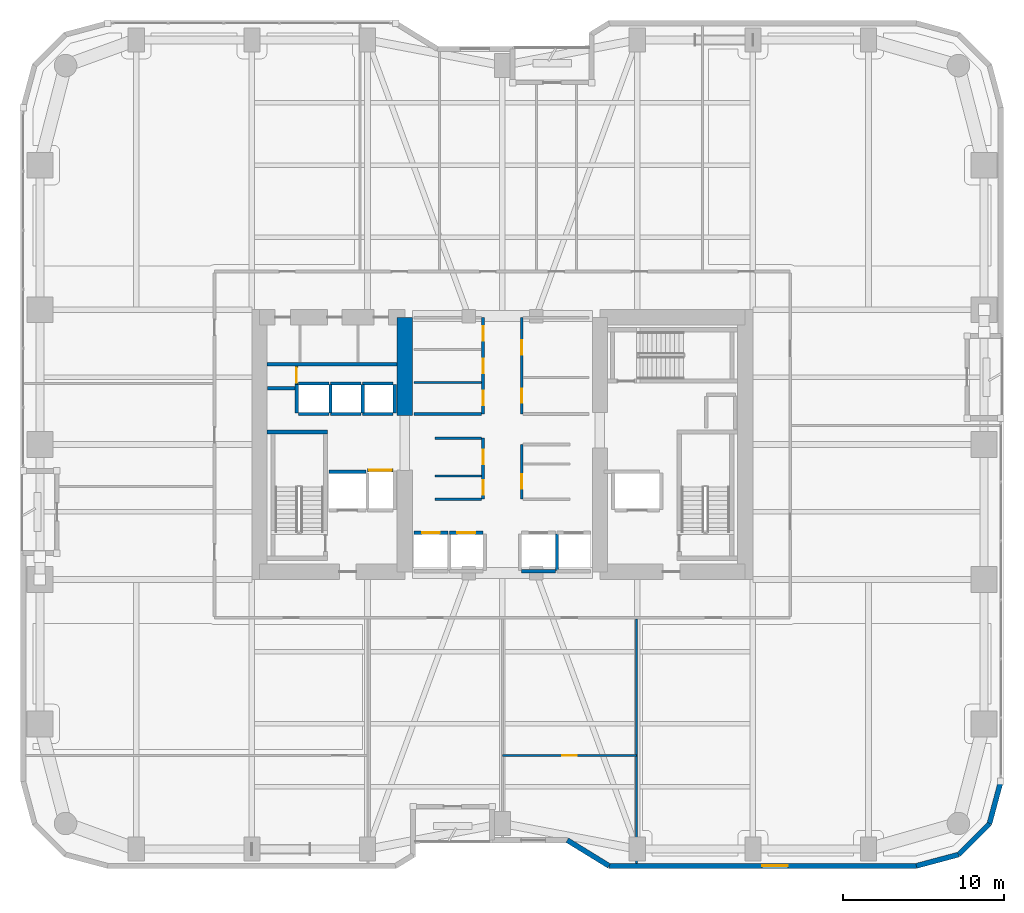
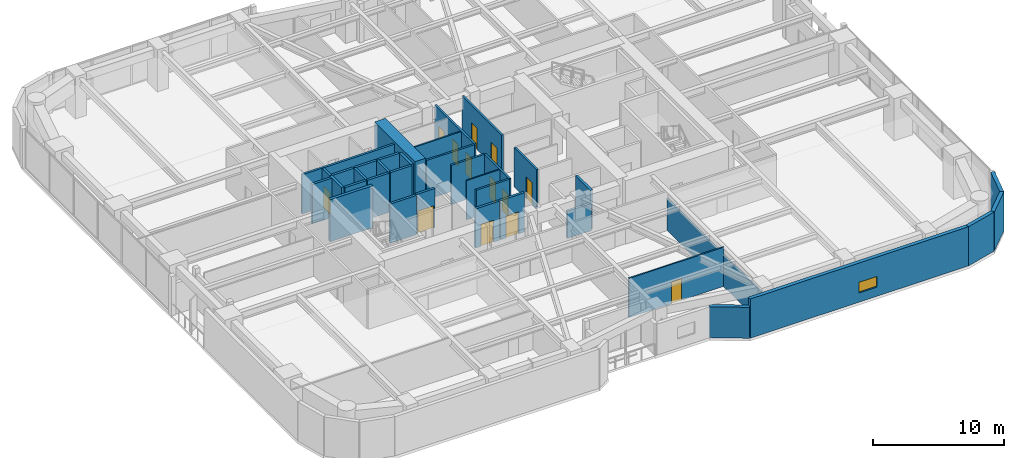
# One storey, part 23 of 28: 37 walls, 13 doors, 1 window, 14 openings.
"""IFC4 building model written with IfcOpenShell, lengths in metres."""

from ifc_helpers import new_model, si_unit, direction, frame, frame_2d, origin, place, context, subcontext, project, spatial, rectangle, extrude, material, layer, layer_set, type_object, element, fill, save


model = new_model("IFC4")

# Units and contexts
model_context = context("Model", 3, precision=1e-05, world=origin(), true_north=direction((0.0, 1.0)))
body_context = subcontext(model_context, "Body", "Model", "MODEL_VIEW")
ifc_project = project(units=[si_unit("LENGTHUNIT", "METRE"), si_unit("AREAUNIT", "SQUARE_METRE"), si_unit("VOLUMEUNIT", "CUBIC_METRE"), si_unit("PLANEANGLEUNIT", "RADIAN"), si_unit("MASSUNIT", "GRAM", prefix="KILO")], contexts=[model_context])

# Site, building, storey
site_placement = place(None, origin())
site = spatial("IfcSite", under=ifc_project, at=site_placement, CompositionType="ELEMENT")
building_placement = place(site_placement, origin())
building = spatial("IfcBuilding", under=site, at=building_placement, Name="Kiyonajd Concourse Tower", CompositionType="ELEMENT")
storey_placement = place(building_placement, frame((0.0, 0.0, 33.300048828125)))
storey = spatial("IfcBuildingStorey", under=building, at=storey_placement, Name="L09", CompositionType="ELEMENT", Elevation=33.300048828125)

# Walls
ifc_material_1 = material(Name="Concrete C80/95", Category="concrete")
ifc_layer_1 = layer(ifc_material_1, 0.949951171875)
ifc_layer_set_1 = layer_set([ifc_layer_1], Name="Concrete C80/95")
wall_type_1 = type_object("IfcWallType", Name="WL-CORE-950", PredefinedType="SHEAR", material=ifc_layer_set_1)
wall_1_placement = place(storey_placement, frame((41.925048828125, 37.800048828125, 0.0), z_axis=(0.0, 0.0, 1.0), x_axis=(0.0, 1.0, 0.0)))
element("IfcWall", 1, at=wall_1_placement, inside=storey, type_object=wall_type_1, Name="L09 West Core Inner North Shear Wall", PredefinedType="SHEAR", context=body_context, shape_type="SweptSolid", body=[
    extrude(rectangle(XDim=6.125, YDim=0.949951171875, at=frame_2d((3.0625, 0.0))), origin(), (0.0, 0.0, 1.0), 3.89990234375),
])
ifc_material_2 = material(Name="Precast concrete C50/60", Category="concrete")
ifc_layer_2 = layer(ifc_material_2, 0.320068359375)
ifc_layer_set_2 = layer_set([ifc_layer_2], Name="Precast concrete C50/60")
wall_type_2 = type_object("IfcWallType", Name="WL-EXT-320", PredefinedType="SOLIDWALL", material=ifc_layer_set_2)
wall_2_placement = place(storey_placement, frame((79.0400390625, 15.02099609375, 0.0), z_axis=(0.0, 0.0, 1.0), x_axis=(-0.25869736047, -0.965958423373, 0.0)))
element("IfcWall", 2, at=wall_2_placement, inside=storey, type_object=wall_type_2, Name="L09 Exterior Concrete Frame Wall 25", PredefinedType="SOLIDWALL", context=body_context, shape_type="SweptSolid", body=[
    extrude(rectangle(XDim=2.731201171875, YDim=0.320068359375, at=frame_2d((1.36572265625, 0.0))), origin(), (0.0, 0.0, 1.0), 3.639892578125),
])
wall_3_placement = place(storey_placement, frame((78.33349609375, 12.3828125, 0.0), z_axis=(0.0, 0.0, 1.0), x_axis=(-0.707106781187, -0.707106781187, 0.0)))
element("IfcWall", 3, at=wall_3_placement, inside=storey, type_object=wall_type_2, Name="L09 Exterior Concrete Frame Wall 26", PredefinedType="SOLIDWALL", context=body_context, shape_type="SweptSolid", body=[
    extrude(rectangle(XDim=2.7099609375, YDim=0.320068359375, at=frame_2d((1.35498046875, 0.0))), origin(), (0.0, 0.0, 1.0), 3.639892578125),
])
wall_4_placement = place(storey_placement, frame((76.417236328125, 10.466552734375, 0.0), z_axis=(0.0, 0.0, 1.0), x_axis=(-0.965964405026, -0.25867502435, 0.0)))
element("IfcWall", 4, at=wall_4_placement, inside=storey, type_object=wall_type_2, Name="L09 Exterior Concrete Frame Wall 27", PredefinedType="SOLIDWALL", context=body_context, shape_type="SweptSolid", body=[
    extrude(rectangle(XDim=2.7314453125, YDim=0.320068359375, at=frame_2d((1.36572265625, 0.0))), origin(), (0.0, 0.0, 1.0), 3.639892578125),
])

# Wall, opening, window
wall_5_placement = place(storey_placement, frame((73.77880859375, 9.760009765625, 0.0), z_axis=(0.0, 0.0, 1.0), x_axis=(-1.0, 0.0, 0.0)))
wall_5 = element("IfcWall", 5, at=wall_5_placement, inside=storey, type_object=wall_type_2, Name="L09 Exterior Concrete Frame Wall 28", PredefinedType="SOLIDWALL", context=body_context, shape_type="SweptSolid", body=[
    extrude(rectangle(XDim=19.133544921875, YDim=0.320068359375, at=frame_2d((9.56689453125, 0.0))), origin(), (0.0, 0.0, 1.0), 3.639892578125),
])
opening_1_placement = place(wall_5_placement, frame((8.00390625, 0.0, 0.85009765625)))
opening_1 = element("IfcOpeningElement", 6, at=opening_1_placement, cuts=wall_5, Name="Opening WN6", PredefinedType="OPENING", context=body_context, shape_type="SweptSolid", body=[
    extrude(rectangle(XDim=1.60009765625, YDim=1.0, at=frame_2d((0.800048828125, 0.5))), frame((0.0, 0.169921875, 0.0), z_axis=(0.0, -1.0, 0.0), x_axis=(1.0, 0.0, 0.0)), (0.0, 0.0, 1.0), 0.340087890625),
])
ifc_material_3 = material(Name="Double Low-E Insulated Glass", Category="glass")
window_type = type_object("IfcWindowType", Name="WN-VIS-1600x1000", PartitioningType="SINGLE_PANEL", PredefinedType="WINDOW", material=ifc_material_3)
window_placement = place(opening_1_placement, origin())
window = element("IfcWindow", 7, at=window_placement, inside=storey, type_object=window_type, Name="L09 Modular Facade Vision Window 28", OverallHeight=1.0, OverallWidth=1.60009765625, PartitioningType="SINGLE_PANEL", PredefinedType="WINDOW", context=body_context, shape_type="SweptSolid", body=[
    extrude(rectangle(XDim=1.60009765625, YDim=1.0, at=frame_2d((0.800048828125, 0.5))), frame((0.0, 0.030029296875, 0.0), z_axis=(0.0, -1.0, 0.0), x_axis=(1.0, 0.0, 0.0)), (0.0, 0.0, 1.0), 0.06005859375),
])
fill(opening_1, window)

# Walls
wall_6_placement = place(storey_placement, frame((54.645263671875, 9.760009765625, 0.0), z_axis=(0.0, 0.0, 1.0), x_axis=(-0.851630857047, 0.524142044989, 0.0)))
element("IfcWall", 8, at=wall_6_placement, inside=storey, type_object=wall_type_2, Name="L09 Exterior Concrete Frame Wall 29", PredefinedType="SOLIDWALL", context=body_context, shape_type="SweptSolid", body=[
    extrude(rectangle(XDim=3.052734375, YDim=0.320068359375, at=frame_2d((1.5263671875, 0.0))), origin(), (0.0, 0.0, 1.0), 2.875),
])
ifc_material_4 = material(Name="Gypsum Board on Cold-Formed Steel Stud", Category="steel")
ifc_layer_3 = layer(ifc_material_4, 0.125)
ifc_layer_set_3 = layer_set([ifc_layer_3], Name="Gypsum Board on Cold-Formed Steel Stud")
wall_type_3 = type_object("IfcWallType", Name="WL-PART-125", PredefinedType="PARTITIONING", material=ifc_layer_set_3)
wall_7_placement = place(storey_placement, frame((43.800048828125, 34.0439453125, 0.0), z_axis=(0.0, 0.0, 1.0), x_axis=(1.0, 0.0, 0.0)))
element("IfcWall", 9, at=wall_7_placement, inside=storey, type_object=wall_type_3, Name="L09 Interior Partition Wall", PredefinedType="PARTITIONING", context=body_context, shape_type="SweptSolid", body=[
    extrude(rectangle(XDim=2.912841796875, YDim=0.125, at=frame_2d((1.45654296875, 0.0))), origin(), (0.0, 0.0, 1.0), 3.639892578125),
])
wall_8_placement = place(storey_placement, frame((42.5, 39.8798828125, 0.0), z_axis=(0.0, 0.0, 1.0), x_axis=(1.0, 0.0, 0.0)))
element("IfcWall", 10, at=wall_8_placement, inside=storey, type_object=wall_type_3, Name="L09 Interior Partition Wall", PredefinedType="PARTITIONING", context=body_context, shape_type="SweptSolid", body=[
    extrude(rectangle(XDim=4.212890625, YDim=0.125, at=frame_2d((2.1064453125, 0.0))), origin(), (0.0, 0.0, 1.0), 3.639892578125),
])

# Wall, opening, door
wall_9_placement = place(storey_placement, frame((48.0, 16.6298828125, 0.0), z_axis=(0.0, 0.0, 1.0), x_axis=(1.0, 0.0, 0.0)))
wall_9 = element("IfcWall", 11, at=wall_9_placement, inside=storey, type_object=wall_type_3, Name="L09 Interior Partition Wall", PredefinedType="PARTITIONING", context=body_context, shape_type="SweptSolid", body=[
    extrude(rectangle(XDim=8.360107421875, YDim=0.125, at=frame_2d((4.18017578125, 0.0))), origin(), (0.0, 0.0, 1.0), 3.639892578125),
])
opening_2_placement = place(wall_9_placement, frame((3.72998046875, 0.0, 0.0)))
opening_2 = element("IfcOpeningElement", 12, at=opening_2_placement, cuts=wall_9, Name="Opening DI2", PredefinedType="OPENING", context=body_context, shape_type="SweptSolid", body=[
    extrude(rectangle(XDim=0.89990234375, YDim=2.02001953125, at=frame_2d((0.449951171875, 1.010009765625))), frame((0.0, 0.072509765625, 0.0), z_axis=(0.0, -1.0, 0.0), x_axis=(1.0, 0.0, 0.0)), (0.0, 0.0, 1.0), 0.14501953125),
])
ifc_material_5 = material(Name="Natural Oak Acoustic Timber Veneer", Category="wood")
door_type_1 = type_object("IfcDoorType", Name="DR-INT-900", OperationType="NOTDEFINED", PredefinedType="DOOR", material=ifc_material_5)
door_1_placement = place(opening_2_placement, origin())
door_1 = element("IfcDoor", 13, at=door_1_placement, inside=storey, type_object=door_type_1, Name="L09 Interior Door", OperationType="SINGLE_SWING_RIGHT", OverallHeight=2.02001953125, OverallWidth=0.89990234375, PredefinedType="DOOR", context=body_context, shape_type="SweptSolid", body=[
    extrude(rectangle(XDim=0.89990234375, YDim=2.02001953125, at=frame_2d((0.449951171875, 1.010009765625))), frame((0.0, 0.02490234375, 0.0), z_axis=(0.0, -1.0, 0.0), x_axis=(1.0, 0.0, 0.0)), (0.0, 0.0, 1.0), 0.050048828125),
])
fill(opening_2, door_1)

# Walls
wall_10_placement = place(storey_placement, frame((56.360107421875, 9.9150390625, 0.0), z_axis=(0.0, 0.0, 1.0), x_axis=(0.0, 1.0, 0.0)))
element("IfcWall", 14, at=wall_10_placement, inside=storey, type_object=wall_type_3, Name="L09 Interior Partition Wall", PredefinedType="PARTITIONING", context=body_context, shape_type="SweptSolid", body=[
    extrude(rectangle(XDim=15.218017578125, YDim=0.125, at=frame_2d((7.60888671875, 0.0))), origin(), (0.0, 0.0, 1.0), 2.929931640625),
])
ifc_layer_4 = layer(ifc_material_4, 0.18994140625)
ifc_layer_set_4 = layer_set([ifc_layer_4], Name="Gypsum Board on Cold-Formed Steel Stud")
wall_type_4 = type_object("IfcWallType", Name="WL-PLMB-190", PredefinedType="PLUMBINGWALL", material=ifc_layer_set_4)
wall_11_placement = place(storey_placement, frame((33.35009765625, 41.0, 0.0), z_axis=(0.0, 0.0, 1.0), x_axis=(1.0, 0.0, 0.0)))
element("IfcWall", 15, at=wall_11_placement, inside=storey, type_object=wall_type_4, Name="L09 Interior Partition Wall", PredefinedType="PLUMBINGWALL", context=body_context, shape_type="SweptSolid", body=[
    extrude(rectangle(XDim=8.099853515625, YDim=0.18994140625, at=frame_2d((4.0498046875, 0.0))), origin(), (0.0, 0.0, 1.0), 3.639892578125),
])
ifc_layer_5 = layer(ifc_material_4, 0.2099609375)
ifc_layer_set_5 = layer_set([ifc_layer_5], Name="Gypsum Board on Cold-Formed Steel Stud")
wall_type_5 = type_object("IfcWallType", Name="WL-SHAFT-210", PredefinedType="PARTITIONING", material=ifc_layer_set_5)
wall_12_placement = place(storey_placement, frame((33.360107421875, 39.5, 0.0), z_axis=(0.0, 0.0, 1.0), x_axis=(1.0, 0.0, 0.0)))
element("IfcWall", 16, at=wall_12_placement, inside=storey, type_object=wall_type_5, Name="L09 Shaft Enclosure Wall", PredefinedType="PARTITIONING", context=body_context, shape_type="SweptSolid", body=[
    extrude(rectangle(XDim=1.85986328125, YDim=0.2099609375, at=frame_2d((0.929931640625, 0.0))), origin(), (0.0, 0.0, 1.0), 3.639892578125),
])
wall_13_placement = place(storey_placement, frame((37.199951171875, 34.300048828125, 0.0), z_axis=(0.0, 0.0, 1.0), x_axis=(1.0, 0.0, 0.0)))
element("IfcWall", 17, at=wall_13_placement, inside=storey, type_object=wall_type_5, Name="L09 Shaft Enclosure Wall", PredefinedType="PARTITIONING", context=body_context, shape_type="SweptSolid", body=[
    extrude(rectangle(XDim=2.300048828125, YDim=0.2099609375, at=frame_2d((1.14990234375, 0.0))), origin(), (0.0, 0.0, 1.0), 3.639892578125),
])

# Wall, opening, door
wall_14_placement = place(storey_placement, frame((39.60009765625, 34.39990234375, 0.0), z_axis=(0.0, 0.0, 1.0), x_axis=(1.0, 0.0, 0.0)))
wall_14 = element("IfcWall", 18, at=wall_14_placement, inside=storey, type_object=wall_type_5, Name="L09 Shaft Enclosure Wall", PredefinedType="PARTITIONING", context=body_context, shape_type="SweptSolid", body=[
    extrude(rectangle(XDim=1.599853515625, YDim=0.2099609375, at=frame_2d((0.7998046875, 0.0))), origin(), (0.0, 0.0, 1.0), 3.639892578125),
])
opening_3_placement = place(wall_14_placement, frame((0.10009765625, 0.0, 0.0)))
opening_3 = element("IfcOpeningElement", 19, at=opening_3_placement, cuts=wall_14, Name="Opening LD3", PredefinedType="OPENING", context=body_context, shape_type="SweptSolid", body=[
    extrude(rectangle(XDim=1.39990234375, YDim=2.06005859375, at=frame_2d((0.699951171875, 1.030029296875))), frame((0.0, 0.114990234375, 0.0), z_axis=(0.0, -1.0, 0.0), x_axis=(1.0, 0.0, 0.0)), (0.0, 0.0, 1.0), 0.22998046875),
])
ifc_material_6 = material(Name="Brushed Stainless Steel Cab Assembly", Category="steel")
door_type_2 = type_object("IfcDoorType", Name="DR-LD-1400", OperationType="DOUBLE_DOOR_SLIDING", PredefinedType="DOOR", material=ifc_material_6)
door_2_placement = place(opening_3_placement, origin())
door_2 = element("IfcDoor", 20, at=door_2_placement, inside=storey, type_object=door_type_2, Name="L09 Lift SVL1 Sliding Landing Door", OperationType="DOUBLE_DOOR_SLIDING", OverallHeight=2.06005859375, OverallWidth=1.39990234375, PredefinedType="DOOR", context=body_context, shape_type="SweptSolid", body=[
    extrude(rectangle(XDim=1.39990234375, YDim=2.06005859375, at=frame_2d((0.699951171875, 1.030029296875))), frame((0.0, 0.02490234375, 0.0), z_axis=(0.0, -1.0, 0.0), x_axis=(1.0, 0.0, 0.0)), (0.0, 0.0, 1.0), 0.050048828125),
])
fill(opening_3, door_2)

wall_15_placement = place(storey_placement, frame((42.5, 30.5, 0.0), z_axis=(0.0, 0.0, 1.0), x_axis=(1.0, 0.0, 0.0)))
wall_15 = element("IfcWall", 21, at=wall_15_placement, inside=storey, type_object=wall_type_5, Name="L09 Shaft Enclosure Wall", PredefinedType="PARTITIONING", context=body_context, shape_type="SweptSolid", body=[
    extrude(rectangle(XDim=2.10009765625, YDim=0.2099609375, at=frame_2d((1.050048828125, 0.0))), origin(), (0.0, 0.0, 1.0), 3.639892578125),
])
opening_4_placement = place(wall_15_placement, frame((0.5, 0.0, 0.0)))
opening_4 = element("IfcOpeningElement", 22, at=opening_4_placement, cuts=wall_15, Name="Opening LD1", PredefinedType="OPENING", context=body_context, shape_type="SweptSolid", body=[
    extrude(rectangle(XDim=1.10009765625, YDim=2.0400390625, at=frame_2d((0.550048828125, 1.02001953125))), frame((0.0, 0.114990234375, 0.0), z_axis=(0.0, -1.0, 0.0), x_axis=(1.0, 0.0, 0.0)), (0.0, 0.0, 1.0), 0.22998046875),
])
door_type_3 = type_object("IfcDoorType", Name="DR-LD-1100", OperationType="DOUBLE_DOOR_SLIDING", PredefinedType="DOOR", material=ifc_material_6)
door_3_placement = place(opening_4_placement, origin())
door_3 = element("IfcDoor", 23, at=door_3_placement, inside=storey, type_object=door_type_3, Name="L09 Lift PL-L1 Sliding Landing Door", OperationType="DOUBLE_DOOR_SLIDING", OverallHeight=2.0400390625, OverallWidth=1.10009765625, PredefinedType="DOOR", context=body_context, shape_type="SweptSolid", body=[
    extrude(rectangle(XDim=1.10009765625, YDim=2.0400390625, at=frame_2d((0.550048828125, 1.02001953125))), frame((0.0, 0.02490234375, 0.0), z_axis=(0.0, -1.0, 0.0), x_axis=(1.0, 0.0, 0.0)), (0.0, 0.0, 1.0), 0.050048828125),
])
fill(opening_4, door_3)

wall_16_placement = place(storey_placement, frame((44.699951171875, 30.5, 0.0), z_axis=(0.0, 0.0, 1.0), x_axis=(1.0, 0.0, 0.0)))
wall_16 = element("IfcWall", 24, at=wall_16_placement, inside=storey, type_object=wall_type_5, Name="L09 Shaft Enclosure Wall", PredefinedType="PARTITIONING", context=body_context, shape_type="SweptSolid", body=[
    extrude(rectangle(XDim=2.10009765625, YDim=0.2099609375, at=frame_2d((1.050048828125, 0.0))), origin(), (0.0, 0.0, 1.0), 3.639892578125),
])
opening_5_placement = place(wall_16_placement, frame((0.5, 0.0, 0.0)))
opening_5 = element("IfcOpeningElement", 25, at=opening_5_placement, cuts=wall_16, Name="Opening LD1", PredefinedType="OPENING", context=body_context, shape_type="SweptSolid", body=[
    extrude(rectangle(XDim=1.10009765625, YDim=2.0400390625, at=frame_2d((0.550048828125, 1.02001953125))), frame((0.0, 0.114990234375, 0.0), z_axis=(0.0, -1.0, 0.0), x_axis=(1.0, 0.0, 0.0)), (0.0, 0.0, 1.0), 0.22998046875),
])
door_4_placement = place(opening_5_placement, origin())
door_4 = element("IfcDoor", 26, at=door_4_placement, inside=storey, type_object=door_type_3, Name="L09 Lift PL-L2 Sliding Landing Door", OperationType="DOUBLE_DOOR_SLIDING", OverallHeight=2.0400390625, OverallWidth=1.10009765625, PredefinedType="DOOR", context=body_context, shape_type="SweptSolid", body=[
    extrude(rectangle(XDim=1.10009765625, YDim=2.0400390625, at=frame_2d((0.550048828125, 1.02001953125))), frame((0.0, 0.02490234375, 0.0), z_axis=(0.0, -1.0, 0.0), x_axis=(1.0, 0.0, 0.0)), (0.0, 0.0, 1.0), 0.050048828125),
])
fill(opening_5, door_4)

# Walls
wall_17_placement = place(storey_placement, frame((49.199951171875, 28.10009765625, 0.0), z_axis=(0.0, 0.0, 1.0), x_axis=(1.0, 0.0, 0.0)))
element("IfcWall", 27, at=wall_17_placement, inside=storey, type_object=wall_type_5, Name="L09 Shaft Enclosure Wall", PredefinedType="PARTITIONING", context=body_context, shape_type="SweptSolid", body=[
    extrude(rectangle(XDim=2.10009765625, YDim=0.2099609375, at=frame_2d((1.050048828125, 0.0))), origin(), (0.0, 0.0, 1.0), 2.52490234375),
])
wall_18_placement = place(storey_placement, frame((51.39990234375, 28.159912109375, 0.0), z_axis=(0.0, 0.0, 1.0), x_axis=(0.0, 1.0, 0.0)))
element("IfcWall", 28, at=wall_18_placement, inside=storey, type_object=wall_type_5, Name="L09 Shaft Enclosure Wall", PredefinedType="PARTITIONING", context=body_context, shape_type="SweptSolid", body=[
    extrude(rectangle(XDim=2.280029296875, YDim=0.2099609375, at=frame_2d((1.14013671875, 0.0))), origin(), (0.0, 0.0, 1.0), 3.639892578125),
])
for number, where, z_axis, x_axis, name in (
    (29, (35.300048828125, 37.89990234375, 0.0), (0.0, 0.0, 1.0), (1.0, 0.0, 0.0), "L09 Shaft Enclosure Wall"),
    (30, (35.300048828125, 39.800048828125, 0.0), (0.0, 0.0, 1.0), (1.0, 0.0, 0.0), "L09 Shaft Enclosure Wall"),
):
    element("IfcWall", number, at=place(storey_placement, frame(where, z_axis=z_axis, x_axis=x_axis)), inside=storey, type_object=wall_type_5, Name=name, PredefinedType="PARTITIONING", context=body_context, shape_type="SweptSolid", body=[
        extrude(rectangle(XDim=1.89990234375, YDim=0.2099609375, at=frame_2d((0.949951171875, 0.0))), origin(), (0.0, 0.0, 1.0), 3.639892578125),
    ])
for number, where, z_axis, x_axis, name in (
    (31, (35.199951171875, 37.9599609375, 0.0), (0.0, 0.0, 1.0), (0.0, 1.0, 0.0), "L09 Shaft Enclosure Wall"),
    (32, (37.300048828125, 37.9599609375, 0.0), (0.0, 0.0, 1.0), (0.0, 1.0, 0.0), "L09 Shaft Enclosure Wall"),
):
    element("IfcWall", number, at=place(storey_placement, frame(where, z_axis=z_axis, x_axis=x_axis)), inside=storey, type_object=wall_type_5, Name=name, PredefinedType="PARTITIONING", context=body_context, shape_type="SweptSolid", body=[
        extrude(rectangle(XDim=1.780029296875, YDim=0.2099609375, at=frame_2d((0.89013671875, 0.0))), origin(), (0.0, 0.0, 1.0), 3.639892578125),
    ])
for number, where, z_axis, x_axis, name in (
    (33, (37.300048828125, 37.89990234375, 0.0), (0.0, 0.0, 1.0), (1.0, 0.0, 0.0), "L09 Shaft Enclosure Wall"),
    (34, (37.300048828125, 39.800048828125, 0.0), (0.0, 0.0, 1.0), (1.0, 0.0, 0.0), "L09 Shaft Enclosure Wall"),
):
    element("IfcWall", number, at=place(storey_placement, frame(where, z_axis=z_axis, x_axis=x_axis)), inside=storey, type_object=wall_type_5, Name=name, PredefinedType="PARTITIONING", context=body_context, shape_type="SweptSolid", body=[
        extrude(rectangle(XDim=1.89990234375, YDim=0.2099609375, at=frame_2d((0.949951171875, 0.0))), origin(), (0.0, 0.0, 1.0), 3.639892578125),
    ])
wall_19_placement = place(storey_placement, frame((39.300048828125, 37.9599609375, 0.0), z_axis=(0.0, 0.0, 1.0), x_axis=(0.0, 1.0, 0.0)))
element("IfcWall", 35, at=wall_19_placement, inside=storey, type_object=wall_type_5, Name="L09 Shaft Enclosure Wall", PredefinedType="PARTITIONING", context=body_context, shape_type="SweptSolid", body=[
    extrude(rectangle(XDim=1.780029296875, YDim=0.2099609375, at=frame_2d((0.89013671875, 0.0))), origin(), (0.0, 0.0, 1.0), 3.639892578125),
])
for number, where, z_axis, x_axis, name in (
    (36, (39.300048828125, 37.89990234375, 0.0), (0.0, 0.0, 1.0), (1.0, 0.0, 0.0), "L09 Shaft Enclosure Wall"),
    (37, (39.300048828125, 39.800048828125, 0.0), (0.0, 0.0, 1.0), (1.0, 0.0, 0.0), "L09 Shaft Enclosure Wall"),
):
    element("IfcWall", number, at=place(storey_placement, frame(where, z_axis=z_axis, x_axis=x_axis)), inside=storey, type_object=wall_type_5, Name=name, PredefinedType="PARTITIONING", context=body_context, shape_type="SweptSolid", body=[
        extrude(rectangle(XDim=1.89990234375, YDim=0.2099609375, at=frame_2d((0.949951171875, 0.0))), origin(), (0.0, 0.0, 1.0), 3.639892578125),
    ])
wall_20_placement = place(storey_placement, frame((41.300048828125, 37.9599609375, 0.0), z_axis=(0.0, 0.0, 1.0), x_axis=(0.0, 1.0, 0.0)))
element("IfcWall", 38, at=wall_20_placement, inside=storey, type_object=wall_type_5, Name="L09 Shaft Enclosure Wall", PredefinedType="PARTITIONING", context=body_context, shape_type="SweptSolid", body=[
    extrude(rectangle(XDim=1.780029296875, YDim=0.2099609375, at=frame_2d((0.89013671875, 0.0))), origin(), (0.0, 0.0, 1.0), 3.639892578125),
])

# Wall, opening, door
wall_21_placement = place(storey_placement, frame((35.179931640625, 39.739990234375, 0.0), z_axis=(0.0, 0.0, 1.0), x_axis=(0.0, 1.0, 0.0)))
wall_21 = element("IfcWall", 39, at=wall_21_placement, inside=storey, type_object=wall_type_5, Name="L09 Interior Partition Wall", PredefinedType="PARTITIONING", context=body_context, shape_type="SweptSolid", body=[
    extrude(rectangle(XDim=1.159912109375, YDim=0.2099609375, at=frame_2d((0.580078125, 0.0))), origin(), (0.0, 0.0, 1.0), 3.639892578125),
])
opening_6_placement = place(wall_21_placement, frame((0.10498046875, 0.0, 0.0)))
opening_6 = element("IfcOpeningElement", 40, at=opening_6_placement, cuts=wall_21, Name="Opening DF3", PredefinedType="OPENING", context=body_context, shape_type="SweptSolid", body=[
    extrude(rectangle(XDim=0.949951171875, YDim=2.0400390625, at=frame_2d((0.47509765625, 1.02001953125))), frame((0.0, 0.114990234375, 0.0), z_axis=(0.0, -1.0, 0.0), x_axis=(1.0, 0.0, 0.0)), (0.0, 0.0, 1.0), 0.22998046875),
])
door_type_4 = type_object("IfcDoorType", Name="DR-FD60-950", OperationType="NOTDEFINED", PredefinedType="DOOR", material=ifc_material_6)
door_5_placement = place(opening_6_placement, origin())
door_5 = element("IfcDoor", 41, at=door_5_placement, inside=storey, type_object=door_type_4, Name="L09 Electrical Riser Access Door", OperationType="SINGLE_SWING_LEFT", OverallHeight=2.0400390625, OverallWidth=0.949951171875, PredefinedType="DOOR", context=body_context, shape_type="SweptSolid", body=[
    extrude(rectangle(XDim=0.949951171875, YDim=2.0400390625, at=frame_2d((0.47509765625, 1.02001953125))), frame((0.0, 0.02490234375, 0.0), z_axis=(0.0, -1.0, 0.0), x_axis=(1.0, 0.0, 0.0)), (0.0, 0.0, 1.0), 0.050048828125),
])
fill(opening_6, door_5)

# Wall, openings, doors
ifc_layer_6 = layer(ifc_material_4, 0.169921875)
ifc_layer_set_6 = layer_set([ifc_layer_6], Name="Gypsum Board on Cold-Formed Steel Stud")
wall_type_6 = type_object("IfcWallType", Name="WL-SMK-170", PredefinedType="PARTITIONING", material=ifc_layer_set_6)
wall_22_placement = place(storey_placement, frame((46.800048828125, 32.60009765625, 0.0), z_axis=(0.0, 0.0, 1.0), x_axis=(0.0, 1.0, 0.0)))
wall_22 = element("IfcWall", 42, at=wall_22_placement, inside=storey, type_object=wall_type_6, Name="L09 Interior Partition Wall", PredefinedType="PARTITIONING", context=body_context, shape_type="SweptSolid", body=[
    extrude(rectangle(XDim=3.7998046875, YDim=0.169921875, at=frame_2d((1.89990234375, 0.0))), origin(), (0.0, 0.0, 1.0), 3.639892578125),
])
opening_7_placement = place(wall_22_placement, frame((0.27197265625, 0.0, 0.0)))
opening_7 = element("IfcOpeningElement", 43, at=opening_7_placement, cuts=wall_22, Name="Opening DI2", PredefinedType="OPENING", context=body_context, shape_type="SweptSolid", body=[
    extrude(rectangle(XDim=0.89990234375, YDim=2.02001953125, at=frame_2d((0.449951171875, 1.010009765625))), frame((0.0, 0.094970703125, 0.0), z_axis=(0.0, -1.0, 0.0), x_axis=(1.0, 0.0, 0.0)), (0.0, 0.0, 1.0), 0.18994140625),
])
opening_8_placement = place(wall_22_placement, frame((2.172119140625, 0.0, 0.0)))
opening_8 = element("IfcOpeningElement", 44, at=opening_8_placement, cuts=wall_22, Name="Opening DI2", PredefinedType="OPENING", context=body_context, shape_type="SweptSolid", body=[
    extrude(rectangle(XDim=0.89990234375, YDim=2.02001953125, at=frame_2d((0.449951171875, 1.010009765625))), frame((0.0, 0.094970703125, 0.0), z_axis=(0.0, -1.0, 0.0), x_axis=(1.0, 0.0, 0.0)), (0.0, 0.0, 1.0), 0.18994140625),
])
door_6_placement = place(opening_7_placement, origin())
door_6 = element("IfcDoor", 45, at=door_6_placement, inside=storey, type_object=door_type_1, Name="L09 Interior Door", OperationType="SINGLE_SWING_LEFT", OverallHeight=2.02001953125, OverallWidth=0.89990234375, PredefinedType="DOOR", context=body_context, shape_type="SweptSolid", body=[
    extrude(rectangle(XDim=0.89990234375, YDim=2.02001953125, at=frame_2d((0.449951171875, 1.010009765625))), frame((0.0, 0.02490234375, 0.0), z_axis=(0.0, -1.0, 0.0), x_axis=(1.0, 0.0, 0.0)), (0.0, 0.0, 1.0), 0.050048828125),
])
fill(opening_7, door_6)
door_7_placement = place(opening_8_placement, origin())
door_7 = element("IfcDoor", 46, at=door_7_placement, inside=storey, type_object=door_type_1, Name="L09 Interior Door", OperationType="SINGLE_SWING_RIGHT", OverallHeight=2.02001953125, OverallWidth=0.89990234375, PredefinedType="DOOR", context=body_context, shape_type="SweptSolid", body=[
    extrude(rectangle(XDim=0.89990234375, YDim=2.02001953125, at=frame_2d((0.449951171875, 1.010009765625))), frame((0.0, 0.02490234375, 0.0), z_axis=(0.0, -1.0, 0.0), x_axis=(1.0, 0.0, 0.0)), (0.0, 0.0, 1.0), 0.050048828125),
])
fill(opening_8, door_7)

# Walls
for number, where, z_axis, x_axis, name in (
    (47, (43.800048828125, 32.60009765625, 0.0), (0.0, 0.0, 1.0), (1.0, 0.0, 0.0), "L09 Interior Partition Wall"),
    (48, (43.800048828125, 36.39990234375, 0.0), (0.0, 0.0, 1.0), (1.0, 0.0, 0.0), "L09 Interior Partition Wall"),
):
    element("IfcWall", number, at=place(storey_placement, frame(where, z_axis=z_axis, x_axis=x_axis)), inside=storey, type_object=wall_type_6, Name=name, PredefinedType="PARTITIONING", context=body_context, shape_type="SweptSolid", body=[
        extrude(rectangle(XDim=2.912841796875, YDim=0.169921875, at=frame_2d((1.45654296875, 0.0))), origin(), (0.0, 0.0, 1.0), 3.639892578125),
    ])

# Wall, opening, door
wall_23_placement = place(storey_placement, frame((49.199951171875, 32.60009765625, 0.0), z_axis=(0.0, 0.0, 1.0), x_axis=(0.0, 1.0, 0.0)))
wall_23 = element("IfcWall", 49, at=wall_23_placement, inside=storey, type_object=wall_type_6, Name="L09 Interior Partition Wall", PredefinedType="PARTITIONING", context=body_context, shape_type="SweptSolid", body=[
    extrude(rectangle(XDim=3.39990234375, YDim=0.169921875, at=frame_2d((1.699951171875, 0.0))), origin(), (0.0, 0.0, 1.0), 3.639892578125),
])
opening_9_placement = place(wall_23_placement, frame((0.637939453125, 0.0, 0.0)))
opening_9 = element("IfcOpeningElement", 50, at=opening_9_placement, cuts=wall_23, Name="Opening DF4", PredefinedType="OPENING", context=body_context, shape_type="SweptSolid", body=[
    extrude(rectangle(XDim=0.89990234375, YDim=2.02001953125, at=frame_2d((0.449951171875, 1.010009765625))), frame((0.0, 0.094970703125, 0.0), z_axis=(0.0, -1.0, 0.0), x_axis=(1.0, 0.0, 0.0)), (0.0, 0.0, 1.0), 0.18994140625),
])
door_type_5 = type_object("IfcDoorType", Name="DR-FD60-900", OperationType="NOTDEFINED", PredefinedType="DOOR", material=ifc_material_6)
door_8_placement = place(opening_9_placement, origin())
door_8 = element("IfcDoor", 51, at=door_8_placement, inside=storey, type_object=door_type_5, Name="L09 Interior Door", OperationType="SINGLE_SWING_LEFT", OverallHeight=2.02001953125, OverallWidth=0.89990234375, PredefinedType="DOOR", context=body_context, shape_type="SweptSolid", body=[
    extrude(rectangle(XDim=0.89990234375, YDim=2.02001953125, at=frame_2d((0.449951171875, 1.010009765625))), frame((0.0, 0.02490234375, 0.0), z_axis=(0.0, -1.0, 0.0), x_axis=(1.0, 0.0, 0.0)), (0.0, 0.0, 1.0), 0.050048828125),
])
fill(opening_9, door_8)

# Wall, openings, doors
wall_24_placement = place(storey_placement, frame((46.800048828125, 37.89990234375, 0.0), z_axis=(0.0, 0.0, 1.0), x_axis=(0.0, 1.0, 0.0)))
wall_24 = element("IfcWall", 52, at=wall_24_placement, inside=storey, type_object=wall_type_6, Name="L09 Interior Partition Wall", PredefinedType="PARTITIONING", context=body_context, shape_type="SweptSolid", body=[
    extrude(rectangle(XDim=6.0, YDim=0.169921875, at=frame_2d((3.0, 0.0))), origin(), (0.0, 0.0, 1.0), 3.639892578125),
])
opening_10_placement = place(wall_24_placement, frame((0.5400390625, 0.0, 0.0)))
opening_10 = element("IfcOpeningElement", 53, at=opening_10_placement, cuts=wall_24, Name="Opening DI2", PredefinedType="OPENING", context=body_context, shape_type="SweptSolid", body=[
    extrude(rectangle(XDim=0.89990234375, YDim=2.02001953125, at=frame_2d((0.449951171875, 1.010009765625))), frame((0.0, 0.094970703125, 0.0), z_axis=(0.0, -1.0, 0.0), x_axis=(1.0, 0.0, 0.0)), (0.0, 0.0, 1.0), 0.18994140625),
])
opening_11_placement = place(wall_24_placement, frame((2.550048828125, 0.0, 0.0)))
opening_11 = element("IfcOpeningElement", 54, at=opening_11_placement, cuts=wall_24, Name="Opening DI2", PredefinedType="OPENING", context=body_context, shape_type="SweptSolid", body=[
    extrude(rectangle(XDim=0.89990234375, YDim=2.02001953125, at=frame_2d((0.449951171875, 1.010009765625))), frame((0.0, 0.094970703125, 0.0), z_axis=(0.0, -1.0, 0.0), x_axis=(1.0, 0.0, 0.0)), (0.0, 0.0, 1.0), 0.18994140625),
])
opening_12_placement = place(wall_24_placement, frame((4.56005859375, 0.0, 0.0)))
opening_12 = element("IfcOpeningElement", 55, at=opening_12_placement, cuts=wall_24, Name="Opening DI2", PredefinedType="OPENING", context=body_context, shape_type="SweptSolid", body=[
    extrude(rectangle(XDim=0.89990234375, YDim=2.02001953125, at=frame_2d((0.449951171875, 1.010009765625))), frame((0.0, 0.094970703125, 0.0), z_axis=(0.0, -1.0, 0.0), x_axis=(1.0, 0.0, 0.0)), (0.0, 0.0, 1.0), 0.18994140625),
])
door_9_placement = place(opening_10_placement, origin())
door_9 = element("IfcDoor", 56, at=door_9_placement, inside=storey, type_object=door_type_1, Name="L09 Interior Door", OperationType="SINGLE_SWING_RIGHT", OverallHeight=2.02001953125, OverallWidth=0.89990234375, PredefinedType="DOOR", context=body_context, shape_type="SweptSolid", body=[
    extrude(rectangle(XDim=0.89990234375, YDim=2.02001953125, at=frame_2d((0.449951171875, 1.010009765625))), frame((0.0, 0.02490234375, 0.0), z_axis=(0.0, -1.0, 0.0), x_axis=(1.0, 0.0, 0.0)), (0.0, 0.0, 1.0), 0.050048828125),
])
fill(opening_10, door_9)
door_10_placement = place(opening_11_placement, origin())
door_10 = element("IfcDoor", 57, at=door_10_placement, inside=storey, type_object=door_type_1, Name="L09 Interior Door", OperationType="SINGLE_SWING_LEFT", OverallHeight=2.02001953125, OverallWidth=0.89990234375, PredefinedType="DOOR", context=body_context, shape_type="SweptSolid", body=[
    extrude(rectangle(XDim=0.89990234375, YDim=2.02001953125, at=frame_2d((0.449951171875, 1.010009765625))), frame((0.0, 0.02490234375, 0.0), z_axis=(0.0, -1.0, 0.0), x_axis=(1.0, 0.0, 0.0)), (0.0, 0.0, 1.0), 0.050048828125),
])
fill(opening_11, door_10)
door_11_placement = place(opening_12_placement, origin())
door_11 = element("IfcDoor", 58, at=door_11_placement, inside=storey, type_object=door_type_1, Name="L09 Interior Door", OperationType="SINGLE_SWING_RIGHT", OverallHeight=2.02001953125, OverallWidth=0.89990234375, PredefinedType="DOOR", context=body_context, shape_type="SweptSolid", body=[
    extrude(rectangle(XDim=0.89990234375, YDim=2.02001953125, at=frame_2d((0.449951171875, 1.010009765625))), frame((0.0, 0.02490234375, 0.0), z_axis=(0.0, -1.0, 0.0), x_axis=(1.0, 0.0, 0.0)), (0.0, 0.0, 1.0), 0.050048828125),
])
fill(opening_12, door_11)

# Wall
wall_25_placement = place(storey_placement, frame((42.5, 37.89990234375, 0.0), z_axis=(0.0, 0.0, 1.0), x_axis=(1.0, 0.0, 0.0)))
element("IfcWall", 59, at=wall_25_placement, inside=storey, type_object=wall_type_6, Name="L09 Interior Partition Wall", PredefinedType="PARTITIONING", context=body_context, shape_type="SweptSolid", body=[
    extrude(rectangle(XDim=4.212890625, YDim=0.169921875, at=frame_2d((2.1064453125, 0.0))), origin(), (0.0, 0.0, 1.0), 3.639892578125),
])

# Wall, openings, doors
wall_26_placement = place(storey_placement, frame((49.199951171875, 37.89990234375, 0.0), z_axis=(0.0, 0.0, 1.0), x_axis=(0.0, 1.0, 0.0)))
wall_26 = element("IfcWall", 60, at=wall_26_placement, inside=storey, type_object=wall_type_6, Name="L09 Interior Partition Wall", PredefinedType="PARTITIONING", context=body_context, shape_type="SweptSolid", body=[
    extrude(rectangle(XDim=6.0, YDim=0.169921875, at=frame_2d((3.0, 0.0))), origin(), (0.0, 0.0, 1.0), 3.639892578125),
])
opening_13_placement = place(wall_26_placement, frame((0.68994140625, 0.0, 0.0)))
opening_13 = element("IfcOpeningElement", 61, at=opening_13_placement, cuts=wall_26, Name="Opening DI2", PredefinedType="OPENING", context=body_context, shape_type="SweptSolid", body=[
    extrude(rectangle(XDim=0.89990234375, YDim=2.02001953125, at=frame_2d((0.449951171875, 1.010009765625))), frame((0.0, 0.094970703125, 0.0), z_axis=(0.0, -1.0, 0.0), x_axis=(1.0, 0.0, 0.0)), (0.0, 0.0, 1.0), 0.18994140625),
])
opening_14_placement = place(wall_26_placement, frame((3.68994140625, 0.0, 0.0)))
opening_14 = element("IfcOpeningElement", 62, at=opening_14_placement, cuts=wall_26, Name="Opening DI2", PredefinedType="OPENING", context=body_context, shape_type="SweptSolid", body=[
    extrude(rectangle(XDim=0.89990234375, YDim=2.02001953125, at=frame_2d((0.449951171875, 1.010009765625))), frame((0.0, 0.094970703125, 0.0), z_axis=(0.0, -1.0, 0.0), x_axis=(1.0, 0.0, 0.0)), (0.0, 0.0, 1.0), 0.18994140625),
])
door_12_placement = place(opening_13_placement, origin())
door_12 = element("IfcDoor", 63, at=door_12_placement, inside=storey, type_object=door_type_1, Name="L09 Interior Door", OperationType="SINGLE_SWING_LEFT", OverallHeight=2.02001953125, OverallWidth=0.89990234375, PredefinedType="DOOR", context=body_context, shape_type="SweptSolid", body=[
    extrude(rectangle(XDim=0.89990234375, YDim=2.02001953125, at=frame_2d((0.449951171875, 1.010009765625))), frame((0.0, 0.02490234375, 0.0), z_axis=(0.0, -1.0, 0.0), x_axis=(1.0, 0.0, 0.0)), (0.0, 0.0, 1.0), 0.050048828125),
])
fill(opening_13, door_12)
door_13_placement = place(opening_14_placement, origin())
door_13 = element("IfcDoor", 64, at=door_13_placement, inside=storey, type_object=door_type_1, Name="L09 Interior Door", OperationType="SINGLE_SWING_RIGHT", OverallHeight=2.02001953125, OverallWidth=0.89990234375, PredefinedType="DOOR", context=body_context, shape_type="SweptSolid", body=[
    extrude(rectangle(XDim=0.89990234375, YDim=2.02001953125, at=frame_2d((0.449951171875, 1.010009765625))), frame((0.0, 0.02490234375, 0.0), z_axis=(0.0, -1.0, 0.0), x_axis=(1.0, 0.0, 0.0)), (0.0, 0.0, 1.0), 0.050048828125),
])
fill(opening_14, door_13)

# Wall
ifc_material_7 = material(Name="Concrete C50/60", Category="concrete")
ifc_layer_7 = layer(ifc_material_7, 0.260009765625)
ifc_layer_set_7 = layer_set([ifc_layer_7], Name="Concrete C50/60")
wall_type_7 = type_object("IfcWallType", Name="WL-STAIR-260", PredefinedType="SHEAR", material=ifc_layer_set_7)
wall_27_placement = place(storey_placement, frame((33.35009765625, 36.780029296875, 0.0), z_axis=(0.0, 0.0, 1.0), x_axis=(1.0, 0.0, 0.0)))
element("IfcWall", 65, at=wall_27_placement, inside=storey, type_object=wall_type_7, Name="L09 Stair ST1 Structural North Wall", PredefinedType="SHEAR", context=body_context, shape_type="SweptSolid", body=[
    extrude(rectangle(XDim=3.760009765625, YDim=0.260009765625, at=frame_2d((1.8798828125, 0.0))), origin(), (0.0, 0.0, 1.0), 3.89990234375),
])

save(model, "model.ifc")
